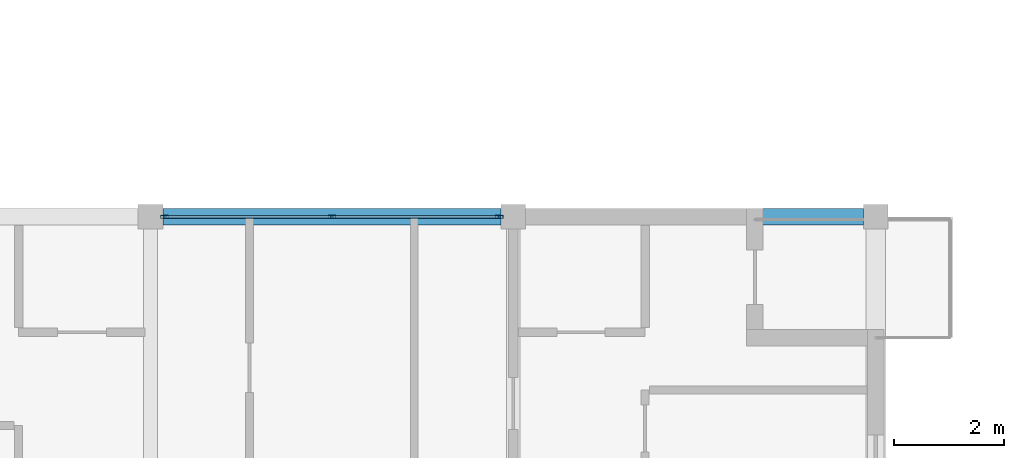
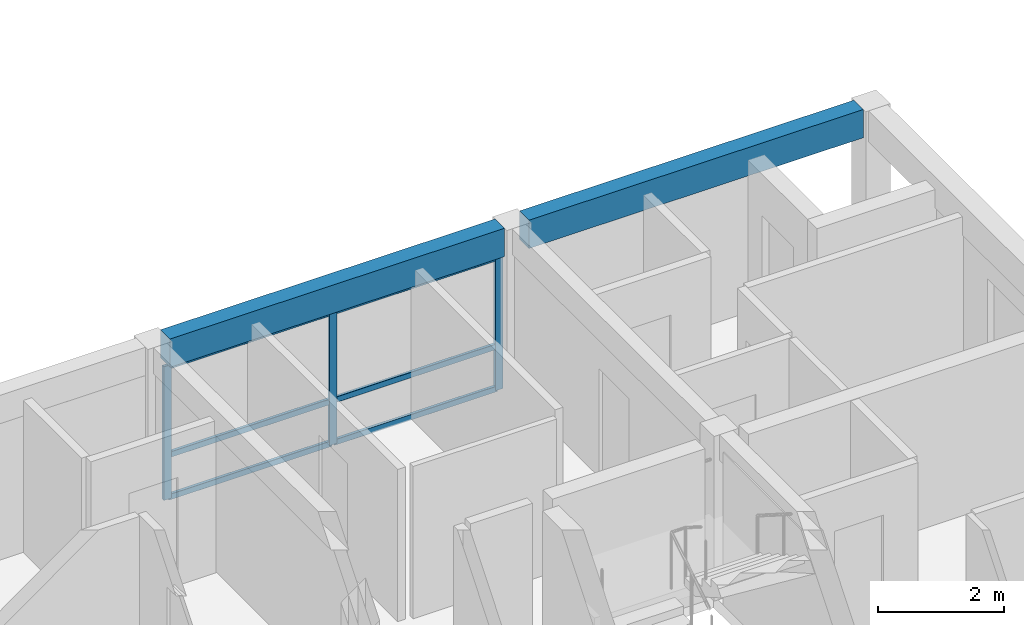
# One storey, part 14 of 45: 9 members, 2 beams, 1 element without a shape of its own.
"""IFC4 building model written with IfcOpenShell, lengths in metres."""

from ifc_helpers import new_model, si_unit, direction, frame, origin, origin_2d, place, context, subcontext, project, spatial, rectangle, hollow_rectangle, extrude, material, material_profile, profile_set, type_object, element, aggregate, save


model = new_model("IFC4")

# Units and contexts
model_context = context("Model", 3, precision=1e-05, world=origin(), true_north=direction((0.0, 1.0)))
body_context = subcontext(model_context, "Body", "Model", "MODEL_VIEW")
ifc_project = project(units=[si_unit("LENGTHUNIT", "METRE"), si_unit("AREAUNIT", "SQUARE_METRE"), si_unit("VOLUMEUNIT", "CUBIC_METRE"), si_unit("PLANEANGLEUNIT", "RADIAN"), si_unit("MASSUNIT", "GRAM", prefix="KILO")], contexts=[model_context])

# Site, building, storey
site_placement = place(None, origin())
site = spatial("IfcSite", under=ifc_project, at=site_placement, CompositionType="ELEMENT")
building_placement = place(site_placement, origin())
building = spatial("IfcBuilding", under=site, at=building_placement, Name="Kernevlak Ridge Housing Community", CompositionType="ELEMENT")
storey_placement = place(building_placement, frame((0.0, 0.0, 14.800048828125)))
storey = spatial("IfcBuildingStorey", under=building, at=storey_placement, Name="L04", CompositionType="ELEMENT", Elevation=14.800048828125)

# Curtain wall, members
ifc_material_1 = material(Name="Aluminium EN AW-6060 anodised and laminated glass", Category="aluminium")
curtain_wall_type = type_object("IfcCurtainWallType", Name="CW-14", PredefinedType="NOTDEFINED", material=ifc_material_1)
curtain_wall_placement = place(storey_placement, origin())
curtain_wall = element("IfcCurtainWall", 1, at=curtain_wall_placement, inside=storey, type_object=curtain_wall_type, Name="Curtain wall CW-14 CW-L04-114", PredefinedType="NOTDEFINED")
ifc_material_2 = material(Name="Aluminium EN AW-6060 anodised", Category="aluminium")
ifc_material_profile_1 = material_profile(ifc_material_2, hollow_rectangle(XDim=0.054931640625, YDim=0.139892578125, WallThickness=0.00390625, InnerFilletRadius=0.001953125, OuterFilletRadius=0.00390625, at=origin_2d()), Name="ALU 55x140x4")
ifc_profile_set_1 = profile_set([ifc_material_profile_1], Name="Aluminium EN AW-6060 anodised")
member_type_1 = type_object("IfcMemberType", Name="MU-01", PredefinedType="MULLION", material=ifc_profile_set_1)
member_1_placement = place(storey_placement, frame((132.8525390625, 42.0, 0.0), z_axis=(0.0, 0.0, 1.0), x_axis=(0.0, 1.0, 0.0)))
member_1 = element("IfcMember", 2, at=member_1_placement, type_object=member_type_1, Name="CW-14 mullion 1", PredefinedType="MULLION", context=body_context, shape_type="SweptSolid", body=[
    extrude(hollow_rectangle(XDim=0.054931640625, YDim=0.139892578125, WallThickness=0.00390625, InnerFilletRadius=0.001953125, OuterFilletRadius=0.00390625, at=origin_2d()), origin(), (0.0, 0.0, 1.0), 2.599853515625),
])
member_2_placement = place(storey_placement, frame((135.89990234375, 42.0, 0.0), z_axis=(0.0, 0.0, 1.0), x_axis=(0.0, 1.0, 0.0)))
member_2 = element("IfcMember", 3, at=member_2_placement, type_object=member_type_1, Name="CW-14 mullion 2", PredefinedType="MULLION", context=body_context, shape_type="SweptSolid", body=[
    extrude(hollow_rectangle(XDim=0.054931640625, YDim=0.139892578125, WallThickness=0.00390625, InnerFilletRadius=0.001953125, OuterFilletRadius=0.00390625, at=origin_2d()), origin(), (0.0, 0.0, 1.0), 2.599853515625),
])
member_3_placement = place(storey_placement, frame((138.947509765625, 42.0, 0.0), z_axis=(0.0, 0.0, 1.0), x_axis=(0.0, 1.0, 0.0)))
member_3 = element("IfcMember", 4, at=member_3_placement, type_object=member_type_1, Name="CW-14 mullion 3", PredefinedType="MULLION", context=body_context, shape_type="SweptSolid", body=[
    extrude(hollow_rectangle(XDim=0.054931640625, YDim=0.139892578125, WallThickness=0.00390625, InnerFilletRadius=0.001953125, OuterFilletRadius=0.00390625, at=origin_2d()), origin(), (0.0, 0.0, 1.0), 2.599853515625),
])

# Beams
ifc_material_3 = material(Name="Concrete C35/45", Category="concrete")
ifc_material_profile_2 = material_profile(ifc_material_3, rectangle(XDim=0.300048828125, YDim=0.550048828125, at=origin_2d()), Name="RC 300x550")
ifc_profile_set_2 = profile_set([ifc_material_profile_2], Name="Concrete C35/45")
beam_type = type_object("IfcBeamType", Name="SP-01", PredefinedType="SPANDREL", material=ifc_profile_set_2)
beam_1_placement = place(storey_placement, frame((132.824951171875, 42.0, 2.925048828125), z_axis=(1.0, 0.0, 0.0), x_axis=(0.0, 1.0, 0.0)))
element("IfcBeam", 5, at=beam_1_placement, inside=storey, type_object=beam_type, Name="Beam SP-01 L04 1110", PredefinedType="SPANDREL", context=body_context, shape_type="SweptSolid", body=[
    extrude(rectangle(XDim=0.300048828125, YDim=0.550048828125, at=origin_2d()), origin(), (0.0, 0.0, 1.0), 6.150146484375),
])
beam_2_placement = place(storey_placement, frame((139.425048828125, 42.0, 2.925048828125), z_axis=(1.0, 0.0, 0.0), x_axis=(0.0, 1.0, 0.0)))
element("IfcBeam", 6, at=beam_2_placement, inside=storey, type_object=beam_type, Name="Beam SP-01 L04 1111", PredefinedType="SPANDREL", context=body_context, shape_type="SweptSolid", body=[
    extrude(rectangle(XDim=0.300048828125, YDim=0.550048828125, at=origin_2d()), origin(), (0.0, 0.0, 1.0), 6.14990234375),
])

# Member
ifc_material_profile_3 = material_profile(ifc_material_2, hollow_rectangle(XDim=0.054931640625, YDim=0.110107421875, WallThickness=0.00390625, InnerFilletRadius=0.001953125, OuterFilletRadius=0.00390625, at=origin_2d()), Name="ALU 55x110x4")
ifc_profile_set_3 = profile_set([ifc_material_profile_3], Name="Aluminium EN AW-6060 anodised")
member_type_2 = type_object("IfcMemberType", Name="TM-01", PredefinedType="USERDEFINED", material=ifc_profile_set_3)
member_4_placement = place(storey_placement, frame((132.8798828125, 42.0, 0.02734375), z_axis=(1.0, 0.0, 0.0), x_axis=(0.0, 1.0, 0.0)))
member_4 = element("IfcMember", 7, at=member_4_placement, type_object=member_type_2, Name="CW-14 transom 1.1", ObjectType="TRANSOM", PredefinedType="USERDEFINED", context=body_context, shape_type="SweptSolid", body=[
    extrude(hollow_rectangle(XDim=0.054931640625, YDim=0.110107421875, WallThickness=0.00390625, InnerFilletRadius=0.001953125, OuterFilletRadius=0.00390625, at=origin_2d()), origin(), (0.0, 0.0, 1.0), 2.99267578125),
])

member_5_placement = place(storey_placement, frame((132.8798828125, 42.0, 0.849853515625), z_axis=(1.0, 0.0, 0.0), x_axis=(0.0, 1.0, 0.0)))
member_5 = element("IfcMember", 8, at=member_5_placement, type_object=member_type_2, Name="CW-14 transom 1.2", ObjectType="TRANSOM", PredefinedType="USERDEFINED", context=body_context, shape_type="SweptSolid", body=[
    extrude(hollow_rectangle(XDim=0.054931640625, YDim=0.110107421875, WallThickness=0.00390625, InnerFilletRadius=0.001953125, OuterFilletRadius=0.00390625, at=origin_2d()), origin(), (0.0, 0.0, 1.0), 2.99267578125),
])

member_6_placement = place(storey_placement, frame((132.8798828125, 42.0, 2.572509765625), z_axis=(1.0, 0.0, 0.0), x_axis=(0.0, 1.0, 0.0)))
member_6 = element("IfcMember", 9, at=member_6_placement, type_object=member_type_2, Name="CW-14 transom 1.3", ObjectType="TRANSOM", PredefinedType="USERDEFINED", context=body_context, shape_type="SweptSolid", body=[
    extrude(hollow_rectangle(XDim=0.054931640625, YDim=0.110107421875, WallThickness=0.00390625, InnerFilletRadius=0.001953125, OuterFilletRadius=0.00390625, at=origin_2d()), origin(), (0.0, 0.0, 1.0), 2.99267578125),
])

member_7_placement = place(storey_placement, frame((135.927490234375, 42.0, 0.02734375), z_axis=(1.0, 0.0, 0.0), x_axis=(0.0, 1.0, 0.0)))
member_7 = element("IfcMember", 10, at=member_7_placement, type_object=member_type_2, Name="CW-14 transom 2.1", ObjectType="TRANSOM", PredefinedType="USERDEFINED", context=body_context, shape_type="SweptSolid", body=[
    extrude(hollow_rectangle(XDim=0.054931640625, YDim=0.110107421875, WallThickness=0.00390625, InnerFilletRadius=0.001953125, OuterFilletRadius=0.00390625, at=origin_2d()), origin(), (0.0, 0.0, 1.0), 2.992431640625),
])

member_8_placement = place(storey_placement, frame((135.927490234375, 42.0, 0.849853515625), z_axis=(1.0, 0.0, 0.0), x_axis=(0.0, 1.0, 0.0)))
member_8 = element("IfcMember", 11, at=member_8_placement, type_object=member_type_2, Name="CW-14 transom 2.2", ObjectType="TRANSOM", PredefinedType="USERDEFINED", context=body_context, shape_type="SweptSolid", body=[
    extrude(hollow_rectangle(XDim=0.054931640625, YDim=0.110107421875, WallThickness=0.00390625, InnerFilletRadius=0.001953125, OuterFilletRadius=0.00390625, at=origin_2d()), origin(), (0.0, 0.0, 1.0), 2.992431640625),
])

member_9_placement = place(storey_placement, frame((135.927490234375, 42.0, 2.572509765625), z_axis=(1.0, 0.0, 0.0), x_axis=(0.0, 1.0, 0.0)))
member_9 = element("IfcMember", 12, at=member_9_placement, type_object=member_type_2, Name="CW-14 transom 2.3", ObjectType="TRANSOM", PredefinedType="USERDEFINED", context=body_context, shape_type="SweptSolid", body=[
    extrude(hollow_rectangle(XDim=0.054931640625, YDim=0.110107421875, WallThickness=0.00390625, InnerFilletRadius=0.001953125, OuterFilletRadius=0.00390625, at=origin_2d()), origin(), (0.0, 0.0, 1.0), 2.992431640625),
])

aggregate(curtain_wall, [member_1, member_2, member_3, member_4, member_5, member_6, member_7, member_8, member_9])

save(model, "model.ifc")
